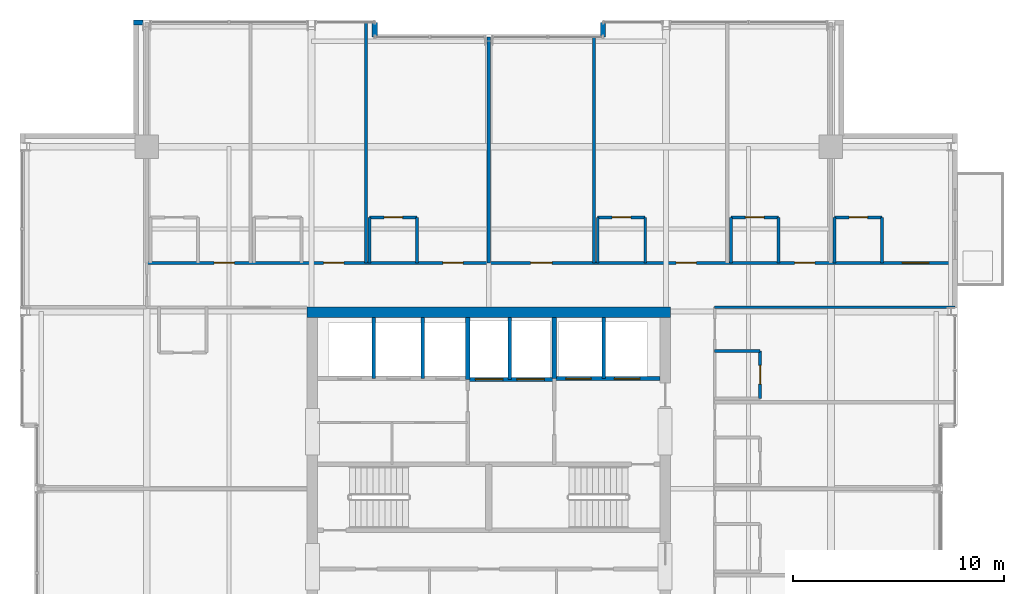
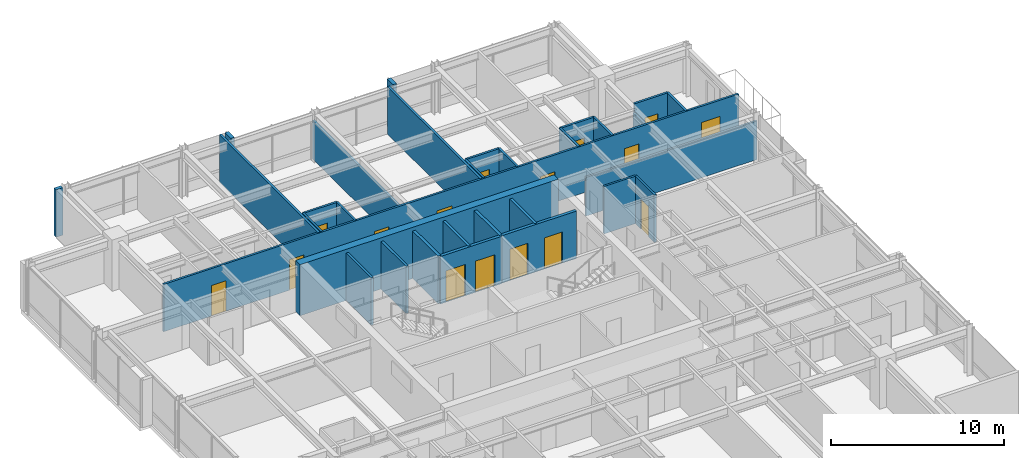
# One storey, part 30 of 34: 31 walls, 16 doors, 16 openings.
"""IFC4 building model written with IfcOpenShell, lengths in metres."""

from ifc_helpers import new_model, si_unit, direction, frame, frame_2d, origin, place, context, subcontext, project, spatial, rectangle, extrude, material, layer, layer_set, type_object, element, fill, save


model = new_model("IFC4")

# Units and contexts
model_context = context("Model", 3, precision=1e-05, world=origin(), true_north=direction((0.0, 1.0)))
body_context = subcontext(model_context, "Body", "Model", "MODEL_VIEW")
ifc_project = project(units=[si_unit("LENGTHUNIT", "METRE"), si_unit("AREAUNIT", "SQUARE_METRE"), si_unit("VOLUMEUNIT", "CUBIC_METRE"), si_unit("PLANEANGLEUNIT", "RADIAN"), si_unit("MASSUNIT", "GRAM", prefix="KILO")], contexts=[model_context])

# Site, building, storey
site_placement = place(None, origin())
site = spatial("IfcSite", under=ifc_project, at=site_placement, CompositionType="ELEMENT")
building_placement = place(site_placement, origin())
building = spatial("IfcBuilding", under=site, at=building_placement, Name="Drelvath Grand Hotel", CompositionType="ELEMENT")
storey_placement = place(building_placement, frame((0.0, 0.0, 208.699951171875)))
storey = spatial("IfcBuildingStorey", under=building, at=storey_placement, Name="L54", CompositionType="ELEMENT", Elevation=208.699951171875)

# Wall, openings, doors
ifc_material_1 = material(Name="Concrete C40/50", Category="concrete")
ifc_layer_1 = layer(ifc_material_1, 0.199951171875)
ifc_layer_set_1 = layer_set([ifc_layer_1], Name="Concrete C40/50")
wall_type_1 = type_object("IfcWallType", Name="Core Hoistway Fire Wall 200", PredefinedType="SOLIDWALL", material=ifc_layer_set_1)
wall_1_placement = place(storey_placement, frame((3.10009765625, 32.219970703125, 0.0), z_axis=(0.0, 0.0, 1.0), x_axis=(1.0, 0.0, 0.0)))
wall_1 = element("IfcWall", 1, at=wall_1_placement, inside=storey, type_object=wall_type_1, Name="L54 FSAE Hoistway Front Wall", PredefinedType="SOLIDWALL", context=body_context, shape_type="SweptSolid", body=[
    extrude(rectangle(XDim=5.0, YDim=0.199951171875, at=frame_2d((2.5, 0.0))), origin(), (0.0, 0.0, 1.0), 3.340087890625),
])
opening_1_placement = place(wall_1_placement, frame((0.550048828125, 0.0, 0.0)))
opening_1 = element("IfcOpeningElement", 2, at=opening_1_placement, cuts=wall_1, Name="Opening LD-FSAE-1", PredefinedType="OPENING", context=body_context, shape_type="SweptSolid", body=[
    extrude(rectangle(XDim=1.199951171875, YDim=2.199951171875, at=frame_2d((0.60009765625, 1.10009765625))), frame((0.0, 0.10986328125, 0.0), z_axis=(0.0, -1.0, 0.0), x_axis=(1.0, 0.0, 0.0)), (0.0, 0.0, 1.0), 0.219970703125),
])
opening_2_placement = place(wall_1_placement, frame((2.85009765625, 0.0, 0.0)))
opening_2 = element("IfcOpeningElement", 3, at=opening_2_placement, cuts=wall_1, Name="Opening LD-FSAE-2", PredefinedType="OPENING", context=body_context, shape_type="SweptSolid", body=[
    extrude(rectangle(XDim=1.199951171875, YDim=2.199951171875, at=frame_2d((0.60009765625, 1.10009765625))), frame((0.0, 0.10986328125, 0.0), z_axis=(0.0, -1.0, 0.0), x_axis=(1.0, 0.0, 0.0)), (0.0, 0.0, 1.0), 0.219970703125),
])
ifc_material_2 = material(Name="Stainless Steel S355", Category="steel")
door_type_1 = type_object("IfcDoorType", Name="FSAE Lift Sliding Landing Door 1200x2200", OperationType="NOTDEFINED", PredefinedType="DOOR", material=ifc_material_2)
door_1_placement = place(opening_1_placement, origin())
door_1 = element("IfcDoor", 4, at=door_1_placement, inside=storey, type_object=door_type_1, Name="L54 Lift FSAE-1 Landing Door", OperationType="SLIDING_TO_LEFT", OverallHeight=2.199951171875, OverallWidth=1.199951171875, PredefinedType="DOOR", context=body_context, shape_type="SweptSolid", body=[
    extrude(rectangle(XDim=1.199951171875, YDim=2.199951171875, at=frame_2d((0.60009765625, 1.10009765625))), frame((0.0, 0.02490234375, 0.0), z_axis=(0.0, -1.0, 0.0), x_axis=(1.0, 0.0, 0.0)), (0.0, 0.0, 1.0), 0.050048828125),
])
fill(opening_1, door_1)
door_2_placement = place(opening_2_placement, origin())
door_2 = element("IfcDoor", 5, at=door_2_placement, inside=storey, type_object=door_type_1, Name="L54 Lift FSAE-2 Landing Door", OperationType="SLIDING_TO_LEFT", OverallHeight=2.199951171875, OverallWidth=1.199951171875, PredefinedType="DOOR", context=body_context, shape_type="SweptSolid", body=[
    extrude(rectangle(XDim=1.199951171875, YDim=2.199951171875, at=frame_2d((0.60009765625, 1.10009765625))), frame((0.0, 0.02490234375, 0.0), z_axis=(0.0, -1.0, 0.0), x_axis=(1.0, 0.0, 0.0)), (0.0, 0.0, 1.0), 0.050048828125),
])
fill(opening_2, door_2)

# Wall
wall_2_placement = place(storey_placement, frame((3.10009765625, 32.219970703125, 0.0), z_axis=(0.0, 0.0, 1.0), x_axis=(0.0, 1.0, 0.0)))
element("IfcWall", 6, at=wall_2_placement, inside=storey, type_object=wall_type_1, Name="L54 FSAE Hoistway West Wall", PredefinedType="SOLIDWALL", context=body_context, shape_type="SweptSolid", body=[
    extrude(rectangle(XDim=2.880126953125, YDim=0.199951171875, at=frame_2d((1.43994140625, 0.0))), origin(), (0.0, 0.0, 1.0), 3.340087890625),
])

# Wall, openings, doors
wall_3_placement = place(storey_placement, frame((-1.0, 32.179931640625, 0.0), z_axis=(0.0, 0.0, 1.0), x_axis=(1.0, 0.0, 0.0)))
wall_3 = element("IfcWall", 7, at=wall_3_placement, inside=storey, type_object=wall_type_1, Name="L54 Service Lift Hoistway Wall", PredefinedType="SOLIDWALL", context=body_context, shape_type="SweptSolid", body=[
    extrude(rectangle(XDim=4.10009765625, YDim=0.199951171875, at=frame_2d((2.050048828125, 0.0))), origin(), (0.0, 0.0, 1.0), 3.340087890625),
])
opening_3_placement = place(wall_3_placement, frame((0.3701171875, 0.0, 0.0)))
opening_3 = element("IfcOpeningElement", 8, at=opening_3_placement, cuts=wall_3, Name="Opening LD-SV-2", PredefinedType="OPENING", context=body_context, shape_type="SweptSolid", body=[
    extrude(rectangle(XDim=1.300048828125, YDim=2.199951171875, at=frame_2d((0.64990234375, 1.10009765625))), frame((0.0, 0.10986328125, 0.0), z_axis=(0.0, -1.0, 0.0), x_axis=(1.0, 0.0, 0.0)), (0.0, 0.0, 1.0), 0.219970703125),
])
opening_4_placement = place(wall_3_placement, frame((2.330078125, 0.0, 0.0)))
opening_4 = element("IfcOpeningElement", 9, at=opening_4_placement, cuts=wall_3, Name="Opening LD-SV-1", PredefinedType="OPENING", context=body_context, shape_type="SweptSolid", body=[
    extrude(rectangle(XDim=1.300048828125, YDim=2.199951171875, at=frame_2d((0.64990234375, 1.10009765625))), frame((0.0, 0.10986328125, 0.0), z_axis=(0.0, -1.0, 0.0), x_axis=(1.0, 0.0, 0.0)), (0.0, 0.0, 1.0), 0.219970703125),
])
door_type_2 = type_object("IfcDoorType", Name="Service Lift Sliding Landing Door 1300x2200", OperationType="NOTDEFINED", PredefinedType="DOOR", material=ifc_material_2)
door_3_placement = place(opening_3_placement, origin())
door_3 = element("IfcDoor", 10, at=door_3_placement, inside=storey, type_object=door_type_2, Name="L54 Lift SV-2 Landing Door", OperationType="SLIDING_TO_LEFT", OverallHeight=2.199951171875, OverallWidth=1.300048828125, PredefinedType="DOOR", context=body_context, shape_type="SweptSolid", body=[
    extrude(rectangle(XDim=1.300048828125, YDim=2.199951171875, at=frame_2d((0.64990234375, 1.10009765625))), frame((0.0, 0.02490234375, 0.0), z_axis=(0.0, -1.0, 0.0), x_axis=(1.0, 0.0, 0.0)), (0.0, 0.0, 1.0), 0.050048828125),
])
fill(opening_3, door_3)
door_4_placement = place(opening_4_placement, origin())
door_4 = element("IfcDoor", 11, at=door_4_placement, inside=storey, type_object=door_type_2, Name="L54 Lift SV-1 Landing Door", OperationType="SLIDING_TO_LEFT", OverallHeight=2.199951171875, OverallWidth=1.300048828125, PredefinedType="DOOR", context=body_context, shape_type="SweptSolid", body=[
    extrude(rectangle(XDim=1.300048828125, YDim=2.199951171875, at=frame_2d((0.64990234375, 1.10009765625))), frame((0.0, 0.02490234375, 0.0), z_axis=(0.0, -1.0, 0.0), x_axis=(1.0, 0.0, 0.0)), (0.0, 0.0, 1.0), 0.050048828125),
])
fill(opening_4, door_4)

# Walls
wall_4_placement = place(storey_placement, frame((-1.0, 32.179931640625, 0.0), z_axis=(0.0, 0.0, 1.0), x_axis=(0.0, 1.0, 0.0)))
element("IfcWall", 12, at=wall_4_placement, inside=storey, type_object=wall_type_1, Name="L54 Service Lift West Wall", PredefinedType="SOLIDWALL", context=body_context, shape_type="SweptSolid", body=[
    extrude(rectangle(XDim=2.920166015625, YDim=0.199951171875, at=frame_2d((1.4599609375, 0.0))), origin(), (0.0, 0.0, 1.0), 3.340087890625),
])
ifc_material_3 = material(Name="Gypsum Fireboard Partition")
ifc_layer_2 = layer(ifc_material_3, 0.1650390625)
ifc_layer_set_2 = layer_set([ifc_layer_2], Name="Gypsum Fireboard Partition")
wall_type_2 = type_object("IfcWallType", Name="Core Shaft Partition 165", PredefinedType="PARTITIONING", material=ifc_layer_set_2)
wall_5_placement = place(storey_placement, frame((5.449951171875, 32.219970703125, 0.0), z_axis=(0.0, 0.0, 1.0), x_axis=(0.0, 1.0, 0.0)))
element("IfcWall", 13, at=wall_5_placement, inside=storey, type_object=wall_type_2, Name="L54 FSAE Hoistway Divider", PredefinedType="PARTITIONING", context=body_context, shape_type="SweptSolid", body=[
    extrude(rectangle(XDim=2.880126953125, YDim=0.1650390625, at=frame_2d((1.43994140625, 0.0))), origin(), (0.0, 0.0, 1.0), 3.340087890625),
])
wall_6_placement = place(storey_placement, frame((1.0, 32.179931640625, 0.0), z_axis=(0.0, 0.0, 1.0), x_axis=(0.0, 1.0, 0.0)))
element("IfcWall", 14, at=wall_6_placement, inside=storey, type_object=wall_type_2, Name="L54 Service Lift Divider", PredefinedType="PARTITIONING", context=body_context, shape_type="SweptSolid", body=[
    extrude(rectangle(XDim=2.920166015625, YDim=0.1650390625, at=frame_2d((1.4599609375, 0.0))), origin(), (0.0, 0.0, 1.0), 3.340087890625),
])
for number, where, z_axis, x_axis, name in (
    (15, (-5.43994140625, 32.219970703125, 0.0), (0.0, 0.0, 1.0), (0.0, 1.0, 0.0), "L54 Lift PE-7/8 Divider"),
    (16, (-3.1201171875, 32.219970703125, 0.0), (0.0, 0.0, 1.0), (0.0, 1.0, 0.0), "L54 Lift PE-8/9 Divider"),
):
    element("IfcWall", number, at=place(storey_placement, frame(where, z_axis=z_axis, x_axis=x_axis)), inside=storey, type_object=wall_type_2, Name=name, PredefinedType="PARTITIONING", context=body_context, shape_type="SweptSolid", body=[
        extrude(rectangle(XDim=2.880126953125, YDim=0.1650390625, at=frame_2d((1.43994140625, 0.0))), origin(), (0.0, 0.0, 1.0), 3.340087890625),
    ])

# Wall, openings, doors
ifc_layer_3 = layer(ifc_material_3, 0.135009765625)
ifc_layer_set_3 = layer_set([ifc_layer_3], Name="Gypsum Fireboard Partition")
wall_type_3 = type_object("IfcWallType", Name="Corridor Fire Barrier Wall 135", PredefinedType="PARTITIONING", material=ifc_layer_set_3)
wall_7_placement = place(storey_placement, frame((-16.199951171875, 37.699951171875, 0.0), z_axis=(0.0, 0.0, 1.0), x_axis=(1.0, 0.0, 0.0)))
wall_7 = element("IfcWall", 17, at=wall_7_placement, inside=storey, type_object=wall_type_3, Name="L54 North Cross-Gallery Wall", PredefinedType="PARTITIONING", context=body_context, shape_type="SweptSolid", body=[
    extrude(rectangle(XDim=38.280029296875, YDim=0.135009765625, at=frame_2d((19.14013671875, 0.0))), origin(), (0.0, 0.0, 1.0), 3.340087890625),
])
opening_5_placement = place(wall_7_placement, frame((35.784912109375, 0.0, 0.0)))
opening_5 = element("IfcOpeningElement", 18, at=opening_5_placement, cuts=wall_7, Name="Opening D-T4G1-024", PredefinedType="OPENING", context=body_context, shape_type="SweptSolid", body=[
    extrude(rectangle(XDim=1.260009765625, YDim=2.199951171875, at=frame_2d((0.6298828125, 1.10009765625))), frame((0.0, 0.077392578125, 0.0), z_axis=(0.0, -1.0, 0.0), x_axis=(1.0, 0.0, 0.0)), (0.0, 0.0, 1.0), 0.155029296875),
])
opening_6_placement = place(wall_7_placement, frame((3.189453125, 0.0, 0.0)))
opening_6 = element("IfcOpeningElement", 19, at=opening_6_placement, cuts=wall_7, Name="Opening D-T4G1-037", PredefinedType="OPENING", context=body_context, shape_type="SweptSolid", body=[
    extrude(rectangle(XDim=0.9599609375, YDim=2.14990234375, at=frame_2d((0.47998046875, 1.074951171875))), frame((0.0, 0.077392578125, 0.0), z_axis=(0.0, -1.0, 0.0), x_axis=(1.0, 0.0, 0.0)), (0.0, 0.0, 1.0), 0.155029296875),
])
opening_7_placement = place(wall_7_placement, frame((8.37939453125, 0.0, 0.0)))
opening_7 = element("IfcOpeningElement", 20, at=opening_7_placement, cuts=wall_7, Name="Opening D-T4G1-039", PredefinedType="OPENING", context=body_context, shape_type="SweptSolid", body=[
    extrude(rectangle(XDim=0.9599609375, YDim=2.14990234375, at=frame_2d((0.47998046875, 1.074951171875))), frame((0.0, 0.077392578125, 0.0), z_axis=(0.0, -1.0, 0.0), x_axis=(1.0, 0.0, 0.0)), (0.0, 0.0, 1.0), 0.155029296875),
])
opening_8_placement = place(wall_7_placement, frame((14.02490234375, 0.0, 0.0)))
opening_8 = element("IfcOpeningElement", 21, at=opening_8_placement, cuts=wall_7, Name="Opening D-T4G1-041", PredefinedType="OPENING", context=body_context, shape_type="SweptSolid", body=[
    extrude(rectangle(XDim=0.9599609375, YDim=2.14990234375, at=frame_2d((0.47998046875, 1.074951171875))), frame((0.0, 0.077392578125, 0.0), z_axis=(0.0, -1.0, 0.0), x_axis=(1.0, 0.0, 0.0)), (0.0, 0.0, 1.0), 0.155029296875),
])
opening_9_placement = place(wall_7_placement, frame((18.179931640625, 0.0, 0.0)))
opening_9 = element("IfcOpeningElement", 22, at=opening_9_placement, cuts=wall_7, Name="Opening D-T4G1-042", PredefinedType="OPENING", context=body_context, shape_type="SweptSolid", body=[
    extrude(rectangle(XDim=1.02001953125, YDim=2.14990234375, at=frame_2d((0.510009765625, 1.074951171875))), frame((0.0, 0.077392578125, 0.0), z_axis=(0.0, -1.0, 0.0), x_axis=(1.0, 0.0, 0.0)), (0.0, 0.0, 1.0), 0.155029296875),
])
opening_10_placement = place(wall_7_placement, frame((25.070556640625, 0.0, 0.0)))
opening_10 = element("IfcOpeningElement", 23, at=opening_10_placement, cuts=wall_7, Name="Opening D-T4G1-044", PredefinedType="OPENING", context=body_context, shape_type="SweptSolid", body=[
    extrude(rectangle(XDim=0.9599609375, YDim=2.14990234375, at=frame_2d((0.47998046875, 1.074951171875))), frame((0.0, 0.077392578125, 0.0), z_axis=(0.0, -1.0, 0.0), x_axis=(1.0, 0.0, 0.0)), (0.0, 0.0, 1.0), 0.155029296875),
])
opening_11_placement = place(wall_7_placement, frame((30.680419921875, 0.0, 0.0)))
opening_11 = element("IfcOpeningElement", 24, at=opening_11_placement, cuts=wall_7, Name="Opening D-T4G1-046", PredefinedType="OPENING", context=body_context, shape_type="SweptSolid", body=[
    extrude(rectangle(XDim=0.9599609375, YDim=2.14990234375, at=frame_2d((0.47998046875, 1.074951171875))), frame((0.0, 0.077392578125, 0.0), z_axis=(0.0, -1.0, 0.0), x_axis=(1.0, 0.0, 0.0)), (0.0, 0.0, 1.0), 0.155029296875),
])
ifc_material_4 = material(Name="Hardwood Walnut Timber", Category="wood")
door_type_3 = type_object("IfcDoorType", Name="Amenity Meeting Fire Door 1020x2150", OperationType="NOTDEFINED", PredefinedType="DOOR", material=ifc_material_4)
door_5_placement = place(opening_9_placement, origin())
door_5 = element("IfcDoor", 25, at=door_5_placement, inside=storey, type_object=door_type_3, Name="L54 Embassy Briefing Room Entry Door", OperationType="SINGLE_SWING_LEFT", OverallHeight=2.14990234375, OverallWidth=1.02001953125, PredefinedType="DOOR", context=body_context, shape_type="SweptSolid", body=[
    extrude(rectangle(XDim=1.02001953125, YDim=2.14990234375, at=frame_2d((0.510009765625, 1.074951171875))), frame((0.0, 0.02490234375, 0.0), z_axis=(0.0, -1.0, 0.0), x_axis=(1.0, 0.0, 0.0)), (0.0, 0.0, 1.0), 0.050048828125),
])
fill(opening_9, door_5)
door_type_4 = type_object("IfcDoorType", Name="Guestroom Entrance Fire Door 960x2150", OperationType="NOTDEFINED", PredefinedType="DOOR", material=ifc_material_4)
door_6_placement = place(opening_6_placement, origin())
door_6 = element("IfcDoor", 26, at=door_6_placement, inside=storey, type_object=door_type_4, Name="L54 Deluxe Guest Room Entry Door", OperationType="SINGLE_SWING_RIGHT", OverallHeight=2.14990234375, OverallWidth=0.9599609375, PredefinedType="DOOR", context=body_context, shape_type="SweptSolid", body=[
    extrude(rectangle(XDim=0.9599609375, YDim=2.14990234375, at=frame_2d((0.47998046875, 1.074951171875))), frame((0.0, 0.02490234375, 0.0), z_axis=(0.0, -1.0, 0.0), x_axis=(1.0, 0.0, 0.0)), (0.0, 0.0, 1.0), 0.050048828125),
])
fill(opening_6, door_6)
door_7_placement = place(opening_7_placement, origin())
door_7 = element("IfcDoor", 27, at=door_7_placement, inside=storey, type_object=door_type_4, Name="L54 Deluxe Guest Room Entry Door", OperationType="SINGLE_SWING_RIGHT", OverallHeight=2.14990234375, OverallWidth=0.9599609375, PredefinedType="DOOR", context=body_context, shape_type="SweptSolid", body=[
    extrude(rectangle(XDim=0.9599609375, YDim=2.14990234375, at=frame_2d((0.47998046875, 1.074951171875))), frame((0.0, 0.02490234375, 0.0), z_axis=(0.0, -1.0, 0.0), x_axis=(1.0, 0.0, 0.0)), (0.0, 0.0, 1.0), 0.050048828125),
])
fill(opening_7, door_7)
door_8_placement = place(opening_8_placement, origin())
door_8 = element("IfcDoor", 28, at=door_8_placement, inside=storey, type_object=door_type_4, Name="L54 Deluxe Guest Room Entry Door", OperationType="SINGLE_SWING_RIGHT", OverallHeight=2.14990234375, OverallWidth=0.9599609375, PredefinedType="DOOR", context=body_context, shape_type="SweptSolid", body=[
    extrude(rectangle(XDim=0.9599609375, YDim=2.14990234375, at=frame_2d((0.47998046875, 1.074951171875))), frame((0.0, 0.02490234375, 0.0), z_axis=(0.0, -1.0, 0.0), x_axis=(1.0, 0.0, 0.0)), (0.0, 0.0, 1.0), 0.050048828125),
])
fill(opening_8, door_8)
door_9_placement = place(opening_10_placement, origin())
door_9 = element("IfcDoor", 29, at=door_9_placement, inside=storey, type_object=door_type_4, Name="L54 Deluxe Guest Room Entry Door", OperationType="SINGLE_SWING_LEFT", OverallHeight=2.14990234375, OverallWidth=0.9599609375, PredefinedType="DOOR", context=body_context, shape_type="SweptSolid", body=[
    extrude(rectangle(XDim=0.9599609375, YDim=2.14990234375, at=frame_2d((0.47998046875, 1.074951171875))), frame((0.0, 0.02490234375, 0.0), z_axis=(0.0, -1.0, 0.0), x_axis=(1.0, 0.0, 0.0)), (0.0, 0.0, 1.0), 0.050048828125),
])
fill(opening_10, door_9)
door_10_placement = place(opening_11_placement, origin())
door_10 = element("IfcDoor", 30, at=door_10_placement, inside=storey, type_object=door_type_4, Name="L54 Deluxe Guest Room Entry Door", OperationType="SINGLE_SWING_LEFT", OverallHeight=2.14990234375, OverallWidth=0.9599609375, PredefinedType="DOOR", context=body_context, shape_type="SweptSolid", body=[
    extrude(rectangle(XDim=0.9599609375, YDim=2.14990234375, at=frame_2d((0.47998046875, 1.074951171875))), frame((0.0, 0.02490234375, 0.0), z_axis=(0.0, -1.0, 0.0), x_axis=(1.0, 0.0, 0.0)), (0.0, 0.0, 1.0), 0.050048828125),
])
fill(opening_11, door_10)
door_type_5 = type_object("IfcDoorType", Name="Suite Entrance Fire Door 1260x2200", OperationType="NOTDEFINED", PredefinedType="DOOR", material=ifc_material_4)
door_11_placement = place(opening_5_placement, origin())
door_11 = element("IfcDoor", 31, at=door_11_placement, inside=storey, type_object=door_type_5, Name="L54 Diplomatic Suite Entry Door", OperationType="SINGLE_SWING_LEFT", OverallHeight=2.199951171875, OverallWidth=1.260009765625, PredefinedType="DOOR", context=body_context, shape_type="SweptSolid", body=[
    extrude(rectangle(XDim=1.260009765625, YDim=2.199951171875, at=frame_2d((0.6298828125, 1.10009765625))), frame((0.0, 0.02490234375, 0.0), z_axis=(0.0, -1.0, 0.0), x_axis=(1.0, 0.0, 0.0)), (0.0, 0.0, 1.0), 0.050048828125),
])
fill(opening_5, door_11)

# Walls
wall_8_placement = place(storey_placement, frame((10.699951171875, 35.60009765625, 0.0), z_axis=(0.0, 0.0, 1.0), x_axis=(1.0, 0.0, 0.0)))
element("IfcWall", 32, at=wall_8_placement, inside=storey, type_object=wall_type_3, Name="L54 North Gallery Inner East Wall", PredefinedType="PARTITIONING", context=body_context, shape_type="SweptSolid", body=[
    extrude(rectangle(XDim=11.380126953125, YDim=0.135009765625, at=frame_2d((5.68994140625, 0.0))), origin(), (0.0, 0.0, 1.0), 2.717529296875),
])
ifc_material_5 = material(Name="Moisture-Resistant Gypsum Board")
ifc_layer_4 = layer(ifc_material_5, 0.139892578125)
ifc_layer_set_4 = layer_set([ifc_layer_4], Name="Moisture-Resistant Gypsum Board")
wall_type_4 = type_object("IfcWallType", Name="En-Suite Plumbing Wall 140", PredefinedType="PLUMBINGWALL", material=ifc_layer_set_4)
wall_9_placement = place(storey_placement, frame((16.3798828125, 37.699951171875, 0.0), z_axis=(0.0, 0.0, 1.0), x_axis=(0.0, 1.0, 0.0)))
element("IfcWall", 33, at=wall_9_placement, inside=storey, type_object=wall_type_4, Name="L54 En-Suite Left Wall", PredefinedType="PLUMBINGWALL", context=body_context, shape_type="SweptSolid", body=[
    extrude(rectangle(XDim=2.150146484375, YDim=0.139892578125, at=frame_2d((1.0751953125, 0.0))), origin(), (0.0, 0.0, 1.0), 2.7138671875),
])
wall_10_placement = place(storey_placement, frame((18.6298828125, 37.699951171875, 0.0), z_axis=(0.0, 0.0, 1.0), x_axis=(0.0, 1.0, 0.0)))
element("IfcWall", 34, at=wall_10_placement, inside=storey, type_object=wall_type_4, Name="L54 En-Suite Right Wall", PredefinedType="PLUMBINGWALL", context=body_context, shape_type="SweptSolid", body=[
    extrude(rectangle(XDim=2.150146484375, YDim=0.139892578125, at=frame_2d((1.0751953125, 0.0))), origin(), (0.0, 0.0, 1.0), 3.340087890625),
])

# Wall, opening, door
wall_11_placement = place(storey_placement, frame((16.3798828125, 39.85009765625, 0.0), z_axis=(0.0, 0.0, 1.0), x_axis=(1.0, 0.0, 0.0)))
wall_11 = element("IfcWall", 35, at=wall_11_placement, inside=storey, type_object=wall_type_4, Name="L54 En-Suite Front Wall", PredefinedType="PLUMBINGWALL", context=body_context, shape_type="SweptSolid", body=[
    extrude(rectangle(XDim=2.25, YDim=0.139892578125, at=frame_2d((1.125, 0.0))), origin(), (0.0, 0.0, 1.0), 3.340087890625),
])
opening_12_placement = place(wall_11_placement, frame((0.68505859375, 0.0, 0.0)))
opening_12 = element("IfcOpeningElement", 36, at=opening_12_placement, cuts=wall_11, Name="Opening D-T4G1-023", PredefinedType="OPENING", context=body_context, shape_type="SweptSolid", body=[
    extrude(rectangle(XDim=0.8798828125, YDim=2.10009765625, at=frame_2d((0.43994140625, 1.050048828125))), frame((0.0, 0.079833984375, 0.0), z_axis=(0.0, -1.0, 0.0), x_axis=(1.0, 0.0, 0.0)), (0.0, 0.0, 1.0), 0.159912109375),
])
door_type_6 = type_object("IfcDoorType", Name="En-Suite Bathroom Door 880x2100", OperationType="NOTDEFINED", PredefinedType="DOOR", material=ifc_material_4)
door_12_placement = place(opening_12_placement, origin())
door_12 = element("IfcDoor", 37, at=door_12_placement, inside=storey, type_object=door_type_6, Name="L54 En-Suite Bathroom Door", OperationType="SINGLE_SWING_RIGHT", OverallHeight=2.10009765625, OverallWidth=0.8798828125, PredefinedType="DOOR", context=body_context, shape_type="SweptSolid", body=[
    extrude(rectangle(XDim=0.8798828125, YDim=2.10009765625, at=frame_2d((0.43994140625, 1.050048828125))), frame((0.0, 0.02490234375, 0.0), z_axis=(0.0, -1.0, 0.0), x_axis=(1.0, 0.0, 0.0)), (0.0, 0.0, 1.0), 0.050048828125),
])
fill(opening_12, door_12)

# Walls
for number, where, z_axis, x_axis, name in (
    (38, (-5.639892578125, 37.699951171875, 0.0), (0.0, 0.0, 1.0), (0.0, 1.0, 0.0), "L54 En-Suite Left Wall"),
    (39, (-3.389892578125, 37.699951171875, 0.0), (0.0, 0.0, 1.0), (0.0, 1.0, 0.0), "L54 En-Suite Right Wall"),
):
    element("IfcWall", number, at=place(storey_placement, frame(where, z_axis=z_axis, x_axis=x_axis)), inside=storey, type_object=wall_type_4, Name=name, PredefinedType="PLUMBINGWALL", context=body_context, shape_type="SweptSolid", body=[
        extrude(rectangle(XDim=2.150146484375, YDim=0.139892578125, at=frame_2d((1.0751953125, 0.0))), origin(), (0.0, 0.0, 1.0), 3.340087890625),
    ])

# Wall, opening, door
wall_12_placement = place(storey_placement, frame((-5.639892578125, 39.85009765625, 0.0), z_axis=(0.0, 0.0, 1.0), x_axis=(1.0, 0.0, 0.0)))
wall_12 = element("IfcWall", 40, at=wall_12_placement, inside=storey, type_object=wall_type_4, Name="L54 En-Suite Front Wall", PredefinedType="PLUMBINGWALL", context=body_context, shape_type="SweptSolid", body=[
    extrude(rectangle(XDim=2.25, YDim=0.139892578125, at=frame_2d((1.125, 0.0))), origin(), (0.0, 0.0, 1.0), 3.340087890625),
])
opening_13_placement = place(wall_12_placement, frame((0.68505859375, 0.0, 0.0)))
opening_13 = element("IfcOpeningElement", 41, at=opening_13_placement, cuts=wall_12, Name="Opening D-T4G1-040", PredefinedType="OPENING", context=body_context, shape_type="SweptSolid", body=[
    extrude(rectangle(XDim=0.8798828125, YDim=2.10009765625, at=frame_2d((0.43994140625, 1.050048828125))), frame((0.0, 0.079833984375, 0.0), z_axis=(0.0, -1.0, 0.0), x_axis=(1.0, 0.0, 0.0)), (0.0, 0.0, 1.0), 0.159912109375),
])
door_13_placement = place(opening_13_placement, origin())
door_13 = element("IfcDoor", 42, at=door_13_placement, inside=storey, type_object=door_type_6, Name="L54 En-Suite Bathroom Door", OperationType="SINGLE_SWING_LEFT", OverallHeight=2.10009765625, OverallWidth=0.8798828125, PredefinedType="DOOR", context=body_context, shape_type="SweptSolid", body=[
    extrude(rectangle(XDim=0.8798828125, YDim=2.10009765625, at=frame_2d((0.43994140625, 1.050048828125))), frame((0.0, 0.02490234375, 0.0), z_axis=(0.0, -1.0, 0.0), x_axis=(1.0, 0.0, 0.0)), (0.0, 0.0, 1.0), 0.050048828125),
])
fill(opening_13, door_13)

# Walls
for number, where, z_axis, x_axis, name in (
    (43, (5.159912109375, 37.699951171875, 0.0), (0.0, 0.0, 1.0), (0.0, 1.0, 0.0), "L54 En-Suite Left Wall"),
    (44, (7.409912109375, 37.699951171875, 0.0), (0.0, 0.0, 1.0), (0.0, 1.0, 0.0), "L54 En-Suite Right Wall"),
):
    element("IfcWall", number, at=place(storey_placement, frame(where, z_axis=z_axis, x_axis=x_axis)), inside=storey, type_object=wall_type_4, Name=name, PredefinedType="PLUMBINGWALL", context=body_context, shape_type="SweptSolid", body=[
        extrude(rectangle(XDim=2.150146484375, YDim=0.139892578125, at=frame_2d((1.0751953125, 0.0))), origin(), (0.0, 0.0, 1.0), 3.340087890625),
    ])

# Wall, opening, door
wall_13_placement = place(storey_placement, frame((5.159912109375, 39.85009765625, 0.0), z_axis=(0.0, 0.0, 1.0), x_axis=(1.0, 0.0, 0.0)))
wall_13 = element("IfcWall", 45, at=wall_13_placement, inside=storey, type_object=wall_type_4, Name="L54 En-Suite Front Wall", PredefinedType="PLUMBINGWALL", context=body_context, shape_type="SweptSolid", body=[
    extrude(rectangle(XDim=2.25, YDim=0.139892578125, at=frame_2d((1.125, 0.0))), origin(), (0.0, 0.0, 1.0), 3.340087890625),
])
opening_14_placement = place(wall_13_placement, frame((0.68505859375, 0.0, 0.0)))
opening_14 = element("IfcOpeningElement", 46, at=opening_14_placement, cuts=wall_13, Name="Opening D-T4G1-043", PredefinedType="OPENING", context=body_context, shape_type="SweptSolid", body=[
    extrude(rectangle(XDim=0.8798828125, YDim=2.10009765625, at=frame_2d((0.43994140625, 1.050048828125))), frame((0.0, 0.079833984375, 0.0), z_axis=(0.0, -1.0, 0.0), x_axis=(1.0, 0.0, 0.0)), (0.0, 0.0, 1.0), 0.159912109375),
])
door_14_placement = place(opening_14_placement, origin())
door_14 = element("IfcDoor", 47, at=door_14_placement, inside=storey, type_object=door_type_6, Name="L54 En-Suite Bathroom Door", OperationType="SINGLE_SWING_RIGHT", OverallHeight=2.10009765625, OverallWidth=0.8798828125, PredefinedType="DOOR", context=body_context, shape_type="SweptSolid", body=[
    extrude(rectangle(XDim=0.8798828125, YDim=2.10009765625, at=frame_2d((0.43994140625, 1.050048828125))), frame((0.0, 0.02490234375, 0.0), z_axis=(0.0, -1.0, 0.0), x_axis=(1.0, 0.0, 0.0)), (0.0, 0.0, 1.0), 0.050048828125),
])
fill(opening_14, door_14)

# Walls
for number, where, z_axis, x_axis, name in (
    (48, (11.470947265625, 37.699951171875, 0.0), (0.0, 0.0, 1.0), (0.0, 1.0, 0.0), "L54 En-Suite Left Wall"),
    (49, (13.720947265625, 37.699951171875, 0.0), (0.0, 0.0, 1.0), (0.0, 1.0, 0.0), "L54 En-Suite Right Wall"),
):
    element("IfcWall", number, at=place(storey_placement, frame(where, z_axis=z_axis, x_axis=x_axis)), inside=storey, type_object=wall_type_4, Name=name, PredefinedType="PLUMBINGWALL", context=body_context, shape_type="SweptSolid", body=[
        extrude(rectangle(XDim=2.150146484375, YDim=0.139892578125, at=frame_2d((1.0751953125, 0.0))), origin(), (0.0, 0.0, 1.0), 3.340087890625),
    ])

# Wall, opening, door
wall_14_placement = place(storey_placement, frame((11.470947265625, 39.85009765625, 0.0), z_axis=(0.0, 0.0, 1.0), x_axis=(1.0, 0.0, 0.0)))
wall_14 = element("IfcWall", 50, at=wall_14_placement, inside=storey, type_object=wall_type_4, Name="L54 En-Suite Front Wall", PredefinedType="PLUMBINGWALL", context=body_context, shape_type="SweptSolid", body=[
    extrude(rectangle(XDim=2.25, YDim=0.139892578125, at=frame_2d((1.125, 0.0))), origin(), (0.0, 0.0, 1.0), 3.340087890625),
])
opening_15_placement = place(wall_14_placement, frame((0.68505859375, 0.0, 0.0)))
opening_15 = element("IfcOpeningElement", 51, at=opening_15_placement, cuts=wall_14, Name="Opening D-T4G1-045", PredefinedType="OPENING", context=body_context, shape_type="SweptSolid", body=[
    extrude(rectangle(XDim=0.8798828125, YDim=2.10009765625, at=frame_2d((0.43994140625, 1.050048828125))), frame((0.0, 0.079833984375, 0.0), z_axis=(0.0, -1.0, 0.0), x_axis=(1.0, 0.0, 0.0)), (0.0, 0.0, 1.0), 0.159912109375),
])
door_15_placement = place(opening_15_placement, origin())
door_15 = element("IfcDoor", 52, at=door_15_placement, inside=storey, type_object=door_type_6, Name="L54 En-Suite Bathroom Door", OperationType="SINGLE_SWING_RIGHT", OverallHeight=2.10009765625, OverallWidth=0.8798828125, PredefinedType="DOOR", context=body_context, shape_type="SweptSolid", body=[
    extrude(rectangle(XDim=0.8798828125, YDim=2.10009765625, at=frame_2d((0.43994140625, 1.050048828125))), frame((0.0, 0.02490234375, 0.0), z_axis=(0.0, -1.0, 0.0), x_axis=(1.0, 0.0, 0.0)), (0.0, 0.0, 1.0), 0.050048828125),
])
fill(opening_15, door_15)

# Wall
wall_15_placement = place(storey_placement, frame((10.699951171875, 33.525146484375, 0.0), z_axis=(0.0, 0.0, 1.0), x_axis=(1.0, 0.0, 0.0)))
element("IfcWall", 53, at=wall_15_placement, inside=storey, type_object=wall_type_4, Name="L54 En-Suite Right Wall", PredefinedType="PLUMBINGWALL", context=body_context, shape_type="SweptSolid", body=[
    extrude(rectangle(XDim=2.150146484375, YDim=0.139892578125, at=frame_2d((1.0751953125, 0.0))), origin(), (0.0, 0.0, 1.0), 3.340087890625),
])

# Wall, opening, door
wall_16_placement = place(storey_placement, frame((12.85009765625, 31.275146484375, 0.0), z_axis=(0.0, 0.0, 1.0), x_axis=(0.0, 1.0, 0.0)))
wall_16 = element("IfcWall", 54, at=wall_16_placement, inside=storey, type_object=wall_type_4, Name="L54 En-Suite Front Wall", PredefinedType="PLUMBINGWALL", context=body_context, shape_type="SweptSolid", body=[
    extrude(rectangle(XDim=2.25, YDim=0.139892578125, at=frame_2d((1.125, 0.0))), origin(), (0.0, 0.0, 1.0), 3.340087890625),
])
opening_16_placement = place(wall_16_placement, frame((0.68505859375, 0.0, 0.0)))
opening_16 = element("IfcOpeningElement", 55, at=opening_16_placement, cuts=wall_16, Name="Opening D-T4G1-053", PredefinedType="OPENING", context=body_context, shape_type="SweptSolid", body=[
    extrude(rectangle(XDim=0.8798828125, YDim=2.10009765625, at=frame_2d((0.43994140625, 1.050048828125))), frame((0.0, 0.079833984375, 0.0), z_axis=(0.0, -1.0, 0.0), x_axis=(1.0, 0.0, 0.0)), (0.0, 0.0, 1.0), 0.159912109375),
])
door_16_placement = place(opening_16_placement, origin())
door_16 = element("IfcDoor", 56, at=door_16_placement, inside=storey, type_object=door_type_6, Name="L54 En-Suite Bathroom Door", OperationType="SINGLE_SWING_RIGHT", OverallHeight=2.10009765625, OverallWidth=0.8798828125, PredefinedType="DOOR", context=body_context, shape_type="SweptSolid", body=[
    extrude(rectangle(XDim=0.8798828125, YDim=2.10009765625, at=frame_2d((0.43994140625, 1.050048828125))), frame((0.0, 0.02490234375, 0.0), z_axis=(0.0, -1.0, 0.0), x_axis=(1.0, 0.0, 0.0)), (0.0, 0.0, 1.0), 0.050048828125),
])
fill(opening_16, door_16)

# Walls
ifc_material_6 = material(Name="Gypsum Acoustic Partition")
ifc_layer_5 = layer(ifc_material_6, 0.14990234375)
ifc_layer_set_5 = layer_set([ifc_layer_5], Name="Gypsum Acoustic Partition")
wall_type_5 = type_object("IfcWallType", Name="Guestroom Demising Wall 150", PredefinedType="PARTITIONING", material=ifc_layer_set_5)
wall_17_placement = place(storey_placement, frame((-5.820068359375, 37.699951171875, 0.0), z_axis=(0.0, 0.0, 1.0), x_axis=(0.0, 1.0, 0.0)))
element("IfcWall", 57, at=wall_17_placement, inside=storey, type_object=wall_type_5, Name="L54 North Demising 2", PredefinedType="PARTITIONING", context=body_context, shape_type="SweptSolid", body=[
    extrude(rectangle(XDim=11.380126953125, YDim=0.14990234375, at=frame_2d((5.68994140625, 0.0))), origin(), (0.0, 0.0, 1.0), 3.340087890625),
])
wall_18_placement = place(storey_placement, frame((0.0, 37.699951171875, 0.0), z_axis=(0.0, 0.0, 1.0), x_axis=(0.0, 1.0, 0.0)))
element("IfcWall", 58, at=wall_18_placement, inside=storey, type_object=wall_type_5, Name="L54 North Demising 3", PredefinedType="PARTITIONING", context=body_context, shape_type="SweptSolid", body=[
    extrude(rectangle(XDim=10.699951171875, YDim=0.14990234375, at=frame_2d((5.35009765625, 0.0))), origin(), (0.0, 0.0, 1.0), 2.717529296875),
])
wall_19_placement = place(storey_placement, frame((4.97998046875, 37.699951171875, 0.0), z_axis=(0.0, 0.0, 1.0), x_axis=(0.0, 1.0, 0.0)))
element("IfcWall", 59, at=wall_19_placement, inside=storey, type_object=wall_type_5, Name="L54 North Demising 4", PredefinedType="PARTITIONING", context=body_context, shape_type="SweptSolid", body=[
    extrude(rectangle(XDim=10.699951171875, YDim=0.14990234375, at=frame_2d((5.35009765625, 0.0))), origin(), (0.0, 0.0, 1.0), 3.340087890625),
])
ifc_material_7 = material(Name="Pale-Metal Insulated Aluminium Spandrel Assembly", Category="aluminium")
ifc_layer_6 = layer(ifc_material_7, 0.239990234375)
ifc_layer_set_6 = layer_set([ifc_layer_6], Name="Pale-Metal Insulated Aluminium Spandrel Assembly")
wall_type_6 = type_object("IfcWallType", Name="Tower Insulated Metal Spandrel Closure Wall 240", PredefinedType="STANDARD", material=ifc_layer_set_6)
wall_20_placement = place(storey_placement, frame((-16.820068359375, 49.080078125, 0.0), z_axis=(0.0, 0.0, 1.0), x_axis=(1.0, 0.0, 0.0)))
element("IfcWall", 60, at=wall_20_placement, inside=storey, type_object=wall_type_6, Name="L54 Corner Pier Spandrel Wall NW1", PredefinedType="STANDARD", context=body_context, shape_type="SweptSolid", body=[
    extrude(rectangle(XDim=0.434814453125, YDim=0.239990234375, at=frame_2d((0.21728515625, 0.0))), origin(), (0.0, 0.0, 1.0), 3.340087890625),
])
for number, where, z_axis, x_axis, name in (
    (61, (-5.39990234375, 49.080078125, 0.0), (0.0, 0.0, 1.0), (0.0, -1.0, 0.0), "L54 Notched Corner Return Spandrel Wall RN1"),
    (62, (5.39990234375, 48.39990234375, 0.0), (0.0, 0.0, 1.0), (0.0, 1.0, 0.0), "L54 Notched Corner Return Spandrel Wall RN2"),
):
    element("IfcWall", number, at=place(storey_placement, frame(where, z_axis=z_axis, x_axis=x_axis)), inside=storey, type_object=wall_type_6, Name=name, PredefinedType="STANDARD", context=body_context, shape_type="SweptSolid", body=[
        extrude(rectangle(XDim=0.68017578125, YDim=0.239990234375, at=frame_2d((0.340087890625, 0.0))), origin(), (0.0, 0.0, 1.0), 3.340087890625),
    ])
ifc_material_8 = material(Name="Concrete f'c 55 MPa", Category="concrete")
ifc_layer_7 = layer(ifc_material_8, 0.5)
ifc_layer_set_7 = layer_set([ifc_layer_7], Name="Concrete f'c 55 MPa")
wall_type_7 = type_object("IfcWallType", Name="Upper Core RC Shear Wall 500", PredefinedType="SHEAR", material=ifc_layer_set_7)
wall_21_placement = place(storey_placement, frame((-8.60009765625, 35.35009765625, 0.0), z_axis=(0.0, 0.0, 1.0), x_axis=(1.0, 0.0, 0.0)))
element("IfcWall", 63, at=wall_21_placement, inside=storey, type_object=wall_type_7, Name="L54 Central Core Shear Wall N", PredefinedType="SHEAR", context=body_context, shape_type="SweptSolid", body=[
    extrude(rectangle(XDim=17.2001953125, YDim=0.5, at=frame_2d((8.60009765625, 0.0))), origin(), (0.0, 0.0, 1.0), 3.60009765625),
])

save(model, "model.ifc")
